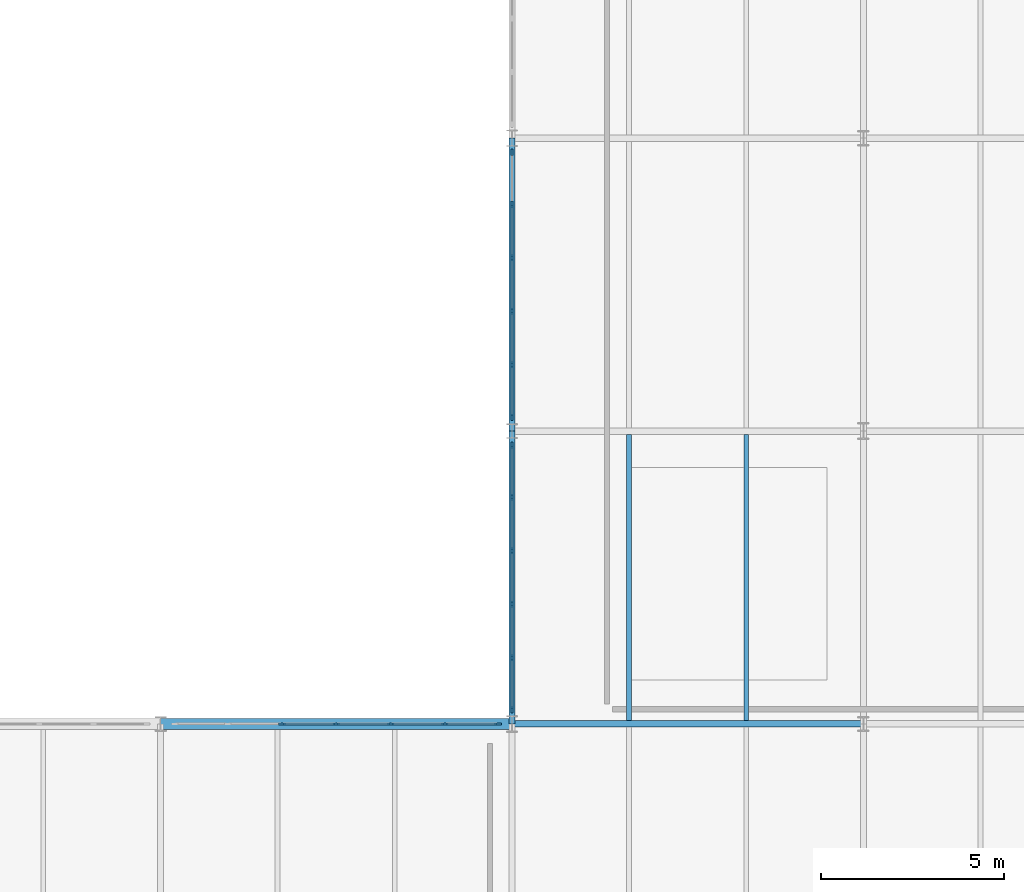
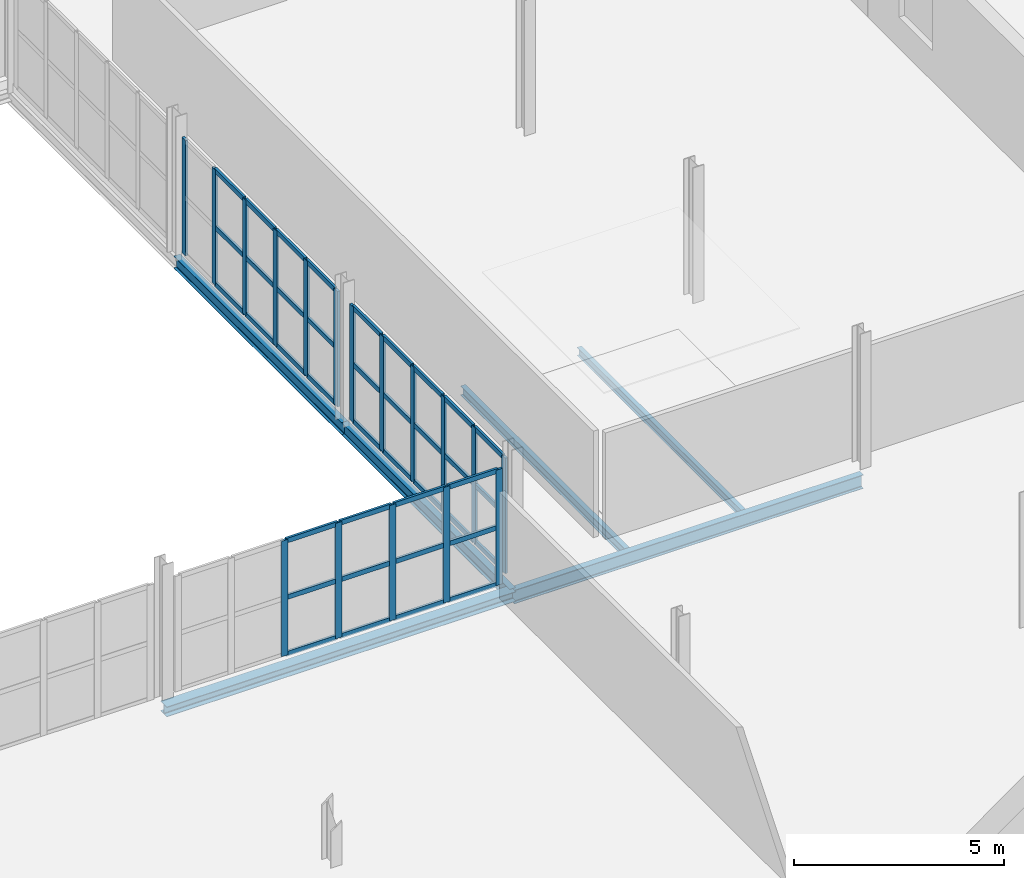
# One storey, part 54 of 85: 56 members, 6 beams, 3 elements without a shape of their own.
"""IFC4 building model written with IfcOpenShell, lengths in metres."""

from ifc_helpers import new_model, si_unit, direction, frame, origin, origin_2d, place, context, subcontext, project, spatial, rectangle, i_section, extrude, material, layer, layer_set, material_profile, profile_set, type_object, element, aggregate, save


model = new_model("IFC4")

# Units and contexts
model_context = context("Model", 3, precision=1e-05, world=origin(), true_north=direction((0.0, 1.0)))
body_context = subcontext(model_context, "Body", "Model", "MODEL_VIEW")
ifc_project = project(units=[si_unit("LENGTHUNIT", "METRE"), si_unit("AREAUNIT", "SQUARE_METRE"), si_unit("VOLUMEUNIT", "CUBIC_METRE"), si_unit("PLANEANGLEUNIT", "RADIAN"), si_unit("MASSUNIT", "GRAM", prefix="KILO")], contexts=[model_context])

# Site, building, storey
site_placement = place(None, origin())
site = spatial("IfcSite", under=ifc_project, at=site_placement, CompositionType="ELEMENT")
building_placement = place(site_placement, origin())
building = spatial("IfcBuilding", under=site, at=building_placement, Name="Alderhovde Museum", CompositionType="ELEMENT")
storey_placement = place(building_placement, frame((0.0, 0.0, 8.699951171875)))
storey = spatial("IfcBuildingStorey", under=building, at=storey_placement, Name="L02", CompositionType="ELEMENT", Elevation=8.699951171875)

# Beams
ifc_material_1 = material(Name="Steel S355J2", Category="steel")
ifc_material_profile_1 = material_profile(ifc_material_1, i_section(OverallWidth=0.169921875, OverallDepth=0.360107421875, WebThickness=0.008056640625, FlangeThickness=0.0126953125, FilletRadius=0.01806640625, at=origin_2d()), Name="IPE 360")
ifc_profile_set_1 = profile_set([ifc_material_profile_1], Name="Steel S355J2")
beam_type_1 = type_object("IfcBeamType", Name="BM-IPE360", PredefinedType="BEAM", material=ifc_profile_set_1)
for number, where, z_axis, x_axis, name in (
    (1, (144.0, 48.0, -0.43994140625), (0.0, 1.0, 0.0), (-1.0, 0.0, 0.0), "L02 Grid Beam X=144.0 (48.0 TO 56.0)"),
    (2, (144.0, 56.0, -0.43994140625), (0.0, 1.0, 0.0), (-1.0, 0.0, 0.0), "L02 Grid Beam X=144.0 (56.0 TO 64.0)"),
):
    element("IfcBeam", number, at=place(storey_placement, frame(where, z_axis=z_axis, x_axis=x_axis)), inside=storey, type_object=beam_type_1, Name=name, PredefinedType="BEAM", context=body_context, shape_type="SweptSolid", body=[
        extrude(i_section(OverallWidth=0.169921875, OverallDepth=0.360107421875, WebThickness=0.008056640625, FlangeThickness=0.0126953125, FilletRadius=0.01806640625, at=origin_2d()), origin(), (0.0, 0.0, 1.0), 8.0),
    ])
ifc_material_2 = material(Name="Steel S355J2", Category="steel")
ifc_material_profile_2 = material_profile(ifc_material_2, i_section(OverallWidth=0.179931640625, OverallDepth=0.39990234375, WebThickness=0.008544921875, FlangeThickness=0.013427734375, FilletRadius=0.02099609375, at=origin_2d()), Name="IPE 400")
ifc_profile_set_2 = profile_set([ifc_material_profile_2], Name="Steel S355J2")
beam_type_2 = type_object("IfcBeamType", Name="BM-IPE400", PredefinedType="BEAM", material=ifc_profile_set_2)
beam_1_placement = place(storey_placement, frame((144.0, 48.0, -0.4599609375), z_axis=(1.0, 0.0, 0.0), x_axis=(0.0, 1.0, 0.0)))
element("IfcBeam", 3, at=beam_1_placement, inside=storey, type_object=beam_type_2, Name="L02 Grid Beam Y=48.0 (144.0 TO 153.6)", PredefinedType="BEAM", context=body_context, shape_type="SweptSolid", body=[
    extrude(i_section(OverallWidth=0.179931640625, OverallDepth=0.39990234375, WebThickness=0.008544921875, FlangeThickness=0.013427734375, FilletRadius=0.02099609375, at=origin_2d()), origin(), (0.0, 0.0, 1.0), 9.60009765625),
])

# Curtain wall, members
ifc_material_3 = material(Name="Triple-Glazed Bronze-Anodised Curtain Wall", Category="glass")
ifc_layer_1 = layer(ifc_material_3, 0.179931640625)
ifc_layer_set_1 = layer_set([ifc_layer_1], Name="Triple-Glazed Bronze-Anodised Curtain Wall")
curtain_wall_type_1 = type_object("IfcCurtainWallType", Name="CW-STIC-890x336", PredefinedType="USERDEFINED", material=ifc_layer_set_1)
curtain_wall_1_placement = place(storey_placement, origin())
curtain_wall_1 = element("IfcCurtainWall", 4, at=curtain_wall_1_placement, inside=storey, type_object=curtain_wall_type_1, Name="L02 Stick Curtain Wall 163", ObjectType="STICK CURTAIN WALL", PredefinedType="USERDEFINED")
ifc_material_4 = material(Name="Bronze-Anodised Aluminium EN AW-6063-T6", Category="aluminium")
ifc_material_profile_3 = material_profile(ifc_material_4, rectangle(XDim=0.06494140625, YDim=0.179931640625, at=origin_2d()), Name="MULLION 65x180")
ifc_profile_set_3 = profile_set([ifc_material_profile_3], Name="Bronze-Anodised Aluminium EN AW-6063-T6")
member_type_1 = type_object("IfcMemberType", Name="CWM-65x180", PredefinedType="MULLION", material=ifc_profile_set_3)
member_1_placement = place(storey_placement, frame((137.716552734375, 48.0, 0.0), z_axis=(0.0, 0.0, 1.0), x_axis=(0.0, 1.0, 0.0)))
member_1 = element("IfcMember", 5, at=member_1_placement, type_object=member_type_1, Name="CW38 mullion 3", PredefinedType="MULLION", context=body_context, shape_type="SweptSolid", body=[
    extrude(rectangle(XDim=0.06494140625, YDim=0.179931640625, at=origin_2d()), origin(), (0.0, 0.0, 1.0), 3.360107421875),
])
member_2_placement = place(storey_placement, frame((139.199951171875, 48.0, 0.0), z_axis=(0.0, 0.0, 1.0), x_axis=(0.0, 1.0, 0.0)))
member_2 = element("IfcMember", 6, at=member_2_placement, type_object=member_type_1, Name="CW38 mullion 4", PredefinedType="MULLION", context=body_context, shape_type="SweptSolid", body=[
    extrude(rectangle(XDim=0.06494140625, YDim=0.179931640625, at=origin_2d()), origin(), (0.0, 0.0, 1.0), 3.360107421875),
])
member_3_placement = place(storey_placement, frame((140.683349609375, 48.0, 0.0), z_axis=(0.0, 0.0, 1.0), x_axis=(0.0, 1.0, 0.0)))
member_3 = element("IfcMember", 7, at=member_3_placement, type_object=member_type_1, Name="CW38 mullion 5", PredefinedType="MULLION", context=body_context, shape_type="SweptSolid", body=[
    extrude(rectangle(XDim=0.06494140625, YDim=0.179931640625, at=origin_2d()), origin(), (0.0, 0.0, 1.0), 3.360107421875),
])
member_4_placement = place(storey_placement, frame((142.166748046875, 48.0, 0.0), z_axis=(0.0, 0.0, 1.0), x_axis=(0.0, 1.0, 0.0)))
member_4 = element("IfcMember", 8, at=member_4_placement, type_object=member_type_1, Name="CW38 mullion 6", PredefinedType="MULLION", context=body_context, shape_type="SweptSolid", body=[
    extrude(rectangle(XDim=0.06494140625, YDim=0.179931640625, at=origin_2d()), origin(), (0.0, 0.0, 1.0), 3.360107421875),
])
member_5_placement = place(storey_placement, frame((143.617431640625, 48.0, 0.0), z_axis=(0.0, 0.0, 1.0), x_axis=(0.0, 1.0, 0.0)))
member_5 = element("IfcMember", 9, at=member_5_placement, type_object=member_type_1, Name="CW38 mullion 7", PredefinedType="MULLION", context=body_context, shape_type="SweptSolid", body=[
    extrude(rectangle(XDim=0.06494140625, YDim=0.179931640625, at=origin_2d()), origin(), (0.0, 0.0, 1.0), 3.360107421875),
])

ifc_material_5 = material(Name="Triple-Glazed Bronze-Anodised Curtain Wall", Category="glass")
ifc_layer_2 = layer(ifc_material_5, 0.179931640625)
ifc_layer_set_2 = layer_set([ifc_layer_2], Name="Triple-Glazed Bronze-Anodised Curtain Wall")
curtain_wall_type_2 = type_object("IfcCurtainWallType", Name="CW-STIC-730x336", PredefinedType="USERDEFINED", material=ifc_layer_set_2)
curtain_wall_2_placement = place(storey_placement, origin())
curtain_wall_2 = element("IfcCurtainWall", 10, at=curtain_wall_2_placement, inside=storey, type_object=curtain_wall_type_2, Name="L02 Stick Curtain Wall 164", ObjectType="STICK CURTAIN WALL", PredefinedType="USERDEFINED")
member_6_placement = place(storey_placement, frame((144.0, 48.382568359375, 0.0), z_axis=(0.0, 0.0, 1.0), x_axis=(-1.0, 0.0, 0.0)))
member_6 = element("IfcMember", 11, at=member_6_placement, type_object=member_type_1, Name="CW12 mullion 1", PredefinedType="MULLION", context=body_context, shape_type="SweptSolid", body=[
    extrude(rectangle(XDim=0.06494140625, YDim=0.179931640625, at=origin_2d()), origin(), (0.0, 0.0, 1.0), 3.360107421875),
])
member_7_placement = place(storey_placement, frame((144.0, 49.81005859375, 0.0), z_axis=(0.0, 0.0, 1.0), x_axis=(-1.0, 0.0, 0.0)))
member_7 = element("IfcMember", 12, at=member_7_placement, type_object=member_type_1, Name="CW12 mullion 2", PredefinedType="MULLION", context=body_context, shape_type="SweptSolid", body=[
    extrude(rectangle(XDim=0.06494140625, YDim=0.179931640625, at=origin_2d()), origin(), (0.0, 0.0, 1.0), 3.360107421875),
])
member_8_placement = place(storey_placement, frame((144.0, 51.27001953125, 0.0), z_axis=(0.0, 0.0, 1.0), x_axis=(-1.0, 0.0, 0.0)))
member_8 = element("IfcMember", 13, at=member_8_placement, type_object=member_type_1, Name="CW12 mullion 3", PredefinedType="MULLION", context=body_context, shape_type="SweptSolid", body=[
    extrude(rectangle(XDim=0.06494140625, YDim=0.179931640625, at=origin_2d()), origin(), (0.0, 0.0, 1.0), 3.360107421875),
])
member_9_placement = place(storey_placement, frame((144.0, 52.72998046875, 0.0), z_axis=(0.0, 0.0, 1.0), x_axis=(-1.0, 0.0, 0.0)))
member_9 = element("IfcMember", 14, at=member_9_placement, type_object=member_type_1, Name="CW12 mullion 4", PredefinedType="MULLION", context=body_context, shape_type="SweptSolid", body=[
    extrude(rectangle(XDim=0.06494140625, YDim=0.179931640625, at=origin_2d()), origin(), (0.0, 0.0, 1.0), 3.360107421875),
])
member_10_placement = place(storey_placement, frame((144.0, 54.18994140625, 0.0), z_axis=(0.0, 0.0, 1.0), x_axis=(-1.0, 0.0, 0.0)))
member_10 = element("IfcMember", 15, at=member_10_placement, type_object=member_type_1, Name="CW12 mullion 5", PredefinedType="MULLION", context=body_context, shape_type="SweptSolid", body=[
    extrude(rectangle(XDim=0.06494140625, YDim=0.179931640625, at=origin_2d()), origin(), (0.0, 0.0, 1.0), 3.360107421875),
])
member_11_placement = place(storey_placement, frame((144.0, 55.617431640625, 0.0), z_axis=(0.0, 0.0, 1.0), x_axis=(-1.0, 0.0, 0.0)))
member_11 = element("IfcMember", 16, at=member_11_placement, type_object=member_type_1, Name="CW12 mullion 6", PredefinedType="MULLION", context=body_context, shape_type="SweptSolid", body=[
    extrude(rectangle(XDim=0.06494140625, YDim=0.179931640625, at=origin_2d()), origin(), (0.0, 0.0, 1.0), 3.360107421875),
])

curtain_wall_3_placement = place(storey_placement, origin())
curtain_wall_3 = element("IfcCurtainWall", 17, at=curtain_wall_3_placement, inside=storey, type_object=curtain_wall_type_2, Name="L02 Stick Curtain Wall 165", ObjectType="STICK CURTAIN WALL", PredefinedType="USERDEFINED")
member_12_placement = place(storey_placement, frame((144.0, 56.382568359375, 0.0), z_axis=(0.0, 0.0, 1.0), x_axis=(-1.0, 0.0, 0.0)))
member_12 = element("IfcMember", 18, at=member_12_placement, type_object=member_type_1, Name="CW12 mullion 1", PredefinedType="MULLION", context=body_context, shape_type="SweptSolid", body=[
    extrude(rectangle(XDim=0.06494140625, YDim=0.179931640625, at=origin_2d()), origin(), (0.0, 0.0, 1.0), 3.360107421875),
])
member_13_placement = place(storey_placement, frame((144.0, 57.81005859375, 0.0), z_axis=(0.0, 0.0, 1.0), x_axis=(-1.0, 0.0, 0.0)))
member_13 = element("IfcMember", 19, at=member_13_placement, type_object=member_type_1, Name="CW12 mullion 2", PredefinedType="MULLION", context=body_context, shape_type="SweptSolid", body=[
    extrude(rectangle(XDim=0.06494140625, YDim=0.179931640625, at=origin_2d()), origin(), (0.0, 0.0, 1.0), 3.360107421875),
])
member_14_placement = place(storey_placement, frame((144.0, 59.27001953125, 0.0), z_axis=(0.0, 0.0, 1.0), x_axis=(-1.0, 0.0, 0.0)))
member_14 = element("IfcMember", 20, at=member_14_placement, type_object=member_type_1, Name="CW12 mullion 3", PredefinedType="MULLION", context=body_context, shape_type="SweptSolid", body=[
    extrude(rectangle(XDim=0.06494140625, YDim=0.179931640625, at=origin_2d()), origin(), (0.0, 0.0, 1.0), 3.360107421875),
])
member_15_placement = place(storey_placement, frame((144.0, 60.72998046875, 0.0), z_axis=(0.0, 0.0, 1.0), x_axis=(-1.0, 0.0, 0.0)))
member_15 = element("IfcMember", 21, at=member_15_placement, type_object=member_type_1, Name="CW12 mullion 4", PredefinedType="MULLION", context=body_context, shape_type="SweptSolid", body=[
    extrude(rectangle(XDim=0.06494140625, YDim=0.179931640625, at=origin_2d()), origin(), (0.0, 0.0, 1.0), 3.360107421875),
])
member_16_placement = place(storey_placement, frame((144.0, 62.18994140625, 0.0), z_axis=(0.0, 0.0, 1.0), x_axis=(-1.0, 0.0, 0.0)))
member_16 = element("IfcMember", 22, at=member_16_placement, type_object=member_type_1, Name="CW12 mullion 5", PredefinedType="MULLION", context=body_context, shape_type="SweptSolid", body=[
    extrude(rectangle(XDim=0.06494140625, YDim=0.179931640625, at=origin_2d()), origin(), (0.0, 0.0, 1.0), 3.360107421875),
])
member_17_placement = place(storey_placement, frame((144.0, 63.617431640625, 0.0), z_axis=(0.0, 0.0, 1.0), x_axis=(-1.0, 0.0, 0.0)))
member_17 = element("IfcMember", 23, at=member_17_placement, type_object=member_type_1, Name="CW12 mullion 6", PredefinedType="MULLION", context=body_context, shape_type="SweptSolid", body=[
    extrude(rectangle(XDim=0.06494140625, YDim=0.179931640625, at=origin_2d()), origin(), (0.0, 0.0, 1.0), 3.360107421875),
])

# Member
ifc_material_6 = material(Name="Bronze-Anodised Aluminium EN AW-6063-T6", Category="aluminium")
ifc_material_profile_4 = material_profile(ifc_material_6, rectangle(XDim=0.06494140625, YDim=0.139892578125, at=origin_2d()), Name="TRANSOM 65x140")
ifc_profile_set_4 = profile_set([ifc_material_profile_4], Name="Bronze-Anodised Aluminium EN AW-6063-T6")
member_type_2 = type_object("IfcMemberType", Name="CWT-65x140", PredefinedType="USERDEFINED", material=ifc_profile_set_4)
member_18_placement = place(storey_placement, frame((137.749267578125, 48.0, 0.032470703125), z_axis=(1.0, 0.0, 0.0), x_axis=(0.0, 1.0, 0.0)))
member_18 = element("IfcMember", 24, at=member_18_placement, type_object=member_type_2, Name="CW38 transom 3.1", ObjectType="TRANSOM", PredefinedType="USERDEFINED", context=body_context, shape_type="SweptSolid", body=[
    extrude(rectangle(XDim=0.06494140625, YDim=0.139892578125, at=origin_2d()), origin(), (0.0, 0.0, 1.0), 1.418212890625),
])

member_19_placement = place(storey_placement, frame((137.749267578125, 48.0, 1.679931640625), z_axis=(1.0, 0.0, 0.0), x_axis=(0.0, 1.0, 0.0)))
member_19 = element("IfcMember", 25, at=member_19_placement, type_object=member_type_2, Name="CW38 transom 3.2", ObjectType="TRANSOM", PredefinedType="USERDEFINED", context=body_context, shape_type="SweptSolid", body=[
    extrude(rectangle(XDim=0.06494140625, YDim=0.139892578125, at=origin_2d()), origin(), (0.0, 0.0, 1.0), 1.418212890625),
])

member_20_placement = place(storey_placement, frame((137.749267578125, 48.0, 3.32763671875), z_axis=(1.0, 0.0, 0.0), x_axis=(0.0, 1.0, 0.0)))
member_20 = element("IfcMember", 26, at=member_20_placement, type_object=member_type_2, Name="CW38 transom 3.3", ObjectType="TRANSOM", PredefinedType="USERDEFINED", context=body_context, shape_type="SweptSolid", body=[
    extrude(rectangle(XDim=0.06494140625, YDim=0.139892578125, at=origin_2d()), origin(), (0.0, 0.0, 1.0), 1.418212890625),
])

member_21_placement = place(storey_placement, frame((139.232421875, 48.0, 0.032470703125), z_axis=(1.0, 0.0, 0.0), x_axis=(0.0, 1.0, 0.0)))
member_21 = element("IfcMember", 27, at=member_21_placement, type_object=member_type_2, Name="CW38 transom 4.1", ObjectType="TRANSOM", PredefinedType="USERDEFINED", context=body_context, shape_type="SweptSolid", body=[
    extrude(rectangle(XDim=0.06494140625, YDim=0.139892578125, at=origin_2d()), origin(), (0.0, 0.0, 1.0), 1.41845703125),
])

member_22_placement = place(storey_placement, frame((139.232421875, 48.0, 1.679931640625), z_axis=(1.0, 0.0, 0.0), x_axis=(0.0, 1.0, 0.0)))
member_22 = element("IfcMember", 28, at=member_22_placement, type_object=member_type_2, Name="CW38 transom 4.2", ObjectType="TRANSOM", PredefinedType="USERDEFINED", context=body_context, shape_type="SweptSolid", body=[
    extrude(rectangle(XDim=0.06494140625, YDim=0.139892578125, at=origin_2d()), origin(), (0.0, 0.0, 1.0), 1.41845703125),
])

member_23_placement = place(storey_placement, frame((139.232421875, 48.0, 3.32763671875), z_axis=(1.0, 0.0, 0.0), x_axis=(0.0, 1.0, 0.0)))
member_23 = element("IfcMember", 29, at=member_23_placement, type_object=member_type_2, Name="CW38 transom 4.3", ObjectType="TRANSOM", PredefinedType="USERDEFINED", context=body_context, shape_type="SweptSolid", body=[
    extrude(rectangle(XDim=0.06494140625, YDim=0.139892578125, at=origin_2d()), origin(), (0.0, 0.0, 1.0), 1.41845703125),
])

member_24_placement = place(storey_placement, frame((140.7158203125, 48.0, 0.032470703125), z_axis=(1.0, 0.0, 0.0), x_axis=(0.0, 1.0, 0.0)))
member_24 = element("IfcMember", 30, at=member_24_placement, type_object=member_type_2, Name="CW38 transom 5.1", ObjectType="TRANSOM", PredefinedType="USERDEFINED", context=body_context, shape_type="SweptSolid", body=[
    extrude(rectangle(XDim=0.06494140625, YDim=0.139892578125, at=origin_2d()), origin(), (0.0, 0.0, 1.0), 1.41845703125),
])

member_25_placement = place(storey_placement, frame((140.7158203125, 48.0, 1.679931640625), z_axis=(1.0, 0.0, 0.0), x_axis=(0.0, 1.0, 0.0)))
member_25 = element("IfcMember", 31, at=member_25_placement, type_object=member_type_2, Name="CW38 transom 5.2", ObjectType="TRANSOM", PredefinedType="USERDEFINED", context=body_context, shape_type="SweptSolid", body=[
    extrude(rectangle(XDim=0.06494140625, YDim=0.139892578125, at=origin_2d()), origin(), (0.0, 0.0, 1.0), 1.41845703125),
])

member_26_placement = place(storey_placement, frame((140.7158203125, 48.0, 3.32763671875), z_axis=(1.0, 0.0, 0.0), x_axis=(0.0, 1.0, 0.0)))
member_26 = element("IfcMember", 32, at=member_26_placement, type_object=member_type_2, Name="CW38 transom 5.3", ObjectType="TRANSOM", PredefinedType="USERDEFINED", context=body_context, shape_type="SweptSolid", body=[
    extrude(rectangle(XDim=0.06494140625, YDim=0.139892578125, at=origin_2d()), origin(), (0.0, 0.0, 1.0), 1.41845703125),
])

member_27_placement = place(storey_placement, frame((142.19921875, 48.0, 0.032470703125), z_axis=(1.0, 0.0, 0.0), x_axis=(0.0, 1.0, 0.0)))
member_27 = element("IfcMember", 33, at=member_27_placement, type_object=member_type_2, Name="CW38 transom 6.1", ObjectType="TRANSOM", PredefinedType="USERDEFINED", context=body_context, shape_type="SweptSolid", body=[
    extrude(rectangle(XDim=0.06494140625, YDim=0.139892578125, at=origin_2d()), origin(), (0.0, 0.0, 1.0), 1.3857421875),
])

member_28_placement = place(storey_placement, frame((142.19921875, 48.0, 1.679931640625), z_axis=(1.0, 0.0, 0.0), x_axis=(0.0, 1.0, 0.0)))
member_28 = element("IfcMember", 34, at=member_28_placement, type_object=member_type_2, Name="CW38 transom 6.2", ObjectType="TRANSOM", PredefinedType="USERDEFINED", context=body_context, shape_type="SweptSolid", body=[
    extrude(rectangle(XDim=0.06494140625, YDim=0.139892578125, at=origin_2d()), origin(), (0.0, 0.0, 1.0), 1.3857421875),
])

member_29_placement = place(storey_placement, frame((142.19921875, 48.0, 3.32763671875), z_axis=(1.0, 0.0, 0.0), x_axis=(0.0, 1.0, 0.0)))
member_29 = element("IfcMember", 35, at=member_29_placement, type_object=member_type_2, Name="CW38 transom 6.3", ObjectType="TRANSOM", PredefinedType="USERDEFINED", context=body_context, shape_type="SweptSolid", body=[
    extrude(rectangle(XDim=0.06494140625, YDim=0.139892578125, at=origin_2d()), origin(), (0.0, 0.0, 1.0), 1.3857421875),
])

aggregate(curtain_wall_1, [member_1, member_2, member_3, member_4, member_5, member_18, member_19, member_20, member_21, member_22, member_23, member_24, member_25, member_26, member_27, member_28, member_29])

member_30_placement = place(storey_placement, frame((144.0, 48.4150390625, 0.032470703125), z_axis=(0.0, 1.0, 0.0), x_axis=(-1.0, 0.0, 0.0)))
member_30 = element("IfcMember", 36, at=member_30_placement, type_object=member_type_2, Name="CW12 transom 1.1", ObjectType="TRANSOM", PredefinedType="USERDEFINED", context=body_context, shape_type="SweptSolid", body=[
    extrude(rectangle(XDim=0.06494140625, YDim=0.139892578125, at=origin_2d()), origin(), (0.0, 0.0, 1.0), 1.362548828125),
])

member_31_placement = place(storey_placement, frame((144.0, 48.4150390625, 1.679931640625), z_axis=(0.0, 1.0, 0.0), x_axis=(-1.0, 0.0, 0.0)))
member_31 = element("IfcMember", 37, at=member_31_placement, type_object=member_type_2, Name="CW12 transom 1.2", ObjectType="TRANSOM", PredefinedType="USERDEFINED", context=body_context, shape_type="SweptSolid", body=[
    extrude(rectangle(XDim=0.06494140625, YDim=0.139892578125, at=origin_2d()), origin(), (0.0, 0.0, 1.0), 1.362548828125),
])

member_32_placement = place(storey_placement, frame((144.0, 48.4150390625, 3.32763671875), z_axis=(0.0, 1.0, 0.0), x_axis=(-1.0, 0.0, 0.0)))
member_32 = element("IfcMember", 38, at=member_32_placement, type_object=member_type_2, Name="CW12 transom 1.3", ObjectType="TRANSOM", PredefinedType="USERDEFINED", context=body_context, shape_type="SweptSolid", body=[
    extrude(rectangle(XDim=0.06494140625, YDim=0.139892578125, at=origin_2d()), origin(), (0.0, 0.0, 1.0), 1.362548828125),
])

member_33_placement = place(storey_placement, frame((144.0, 49.842529296875, 0.032470703125), z_axis=(0.0, 1.0, 0.0), x_axis=(-1.0, 0.0, 0.0)))
member_33 = element("IfcMember", 39, at=member_33_placement, type_object=member_type_2, Name="CW12 transom 2.1", ObjectType="TRANSOM", PredefinedType="USERDEFINED", context=body_context, shape_type="SweptSolid", body=[
    extrude(rectangle(XDim=0.06494140625, YDim=0.139892578125, at=origin_2d()), origin(), (0.0, 0.0, 1.0), 1.39501953125),
])

member_34_placement = place(storey_placement, frame((144.0, 49.842529296875, 1.679931640625), z_axis=(0.0, 1.0, 0.0), x_axis=(-1.0, 0.0, 0.0)))
member_34 = element("IfcMember", 40, at=member_34_placement, type_object=member_type_2, Name="CW12 transom 2.2", ObjectType="TRANSOM", PredefinedType="USERDEFINED", context=body_context, shape_type="SweptSolid", body=[
    extrude(rectangle(XDim=0.06494140625, YDim=0.139892578125, at=origin_2d()), origin(), (0.0, 0.0, 1.0), 1.39501953125),
])

member_35_placement = place(storey_placement, frame((144.0, 49.842529296875, 3.32763671875), z_axis=(0.0, 1.0, 0.0), x_axis=(-1.0, 0.0, 0.0)))
member_35 = element("IfcMember", 41, at=member_35_placement, type_object=member_type_2, Name="CW12 transom 2.3", ObjectType="TRANSOM", PredefinedType="USERDEFINED", context=body_context, shape_type="SweptSolid", body=[
    extrude(rectangle(XDim=0.06494140625, YDim=0.139892578125, at=origin_2d()), origin(), (0.0, 0.0, 1.0), 1.39501953125),
])

member_36_placement = place(storey_placement, frame((144.0, 51.302490234375, 0.032470703125), z_axis=(0.0, 1.0, 0.0), x_axis=(-1.0, 0.0, 0.0)))
member_36 = element("IfcMember", 42, at=member_36_placement, type_object=member_type_2, Name="CW12 transom 3.1", ObjectType="TRANSOM", PredefinedType="USERDEFINED", context=body_context, shape_type="SweptSolid", body=[
    extrude(rectangle(XDim=0.06494140625, YDim=0.139892578125, at=origin_2d()), origin(), (0.0, 0.0, 1.0), 1.39501953125),
])

member_37_placement = place(storey_placement, frame((144.0, 51.302490234375, 1.679931640625), z_axis=(0.0, 1.0, 0.0), x_axis=(-1.0, 0.0, 0.0)))
member_37 = element("IfcMember", 43, at=member_37_placement, type_object=member_type_2, Name="CW12 transom 3.2", ObjectType="TRANSOM", PredefinedType="USERDEFINED", context=body_context, shape_type="SweptSolid", body=[
    extrude(rectangle(XDim=0.06494140625, YDim=0.139892578125, at=origin_2d()), origin(), (0.0, 0.0, 1.0), 1.39501953125),
])

member_38_placement = place(storey_placement, frame((144.0, 51.302490234375, 3.32763671875), z_axis=(0.0, 1.0, 0.0), x_axis=(-1.0, 0.0, 0.0)))
member_38 = element("IfcMember", 44, at=member_38_placement, type_object=member_type_2, Name="CW12 transom 3.3", ObjectType="TRANSOM", PredefinedType="USERDEFINED", context=body_context, shape_type="SweptSolid", body=[
    extrude(rectangle(XDim=0.06494140625, YDim=0.139892578125, at=origin_2d()), origin(), (0.0, 0.0, 1.0), 1.39501953125),
])

member_39_placement = place(storey_placement, frame((144.0, 52.762451171875, 0.032470703125), z_axis=(0.0, 1.0, 0.0), x_axis=(-1.0, 0.0, 0.0)))
member_39 = element("IfcMember", 45, at=member_39_placement, type_object=member_type_2, Name="CW12 transom 4.1", ObjectType="TRANSOM", PredefinedType="USERDEFINED", context=body_context, shape_type="SweptSolid", body=[
    extrude(rectangle(XDim=0.06494140625, YDim=0.139892578125, at=origin_2d()), origin(), (0.0, 0.0, 1.0), 1.39501953125),
])

member_40_placement = place(storey_placement, frame((144.0, 52.762451171875, 1.679931640625), z_axis=(0.0, 1.0, 0.0), x_axis=(-1.0, 0.0, 0.0)))
member_40 = element("IfcMember", 46, at=member_40_placement, type_object=member_type_2, Name="CW12 transom 4.2", ObjectType="TRANSOM", PredefinedType="USERDEFINED", context=body_context, shape_type="SweptSolid", body=[
    extrude(rectangle(XDim=0.06494140625, YDim=0.139892578125, at=origin_2d()), origin(), (0.0, 0.0, 1.0), 1.39501953125),
])

member_41_placement = place(storey_placement, frame((144.0, 52.762451171875, 3.32763671875), z_axis=(0.0, 1.0, 0.0), x_axis=(-1.0, 0.0, 0.0)))
member_41 = element("IfcMember", 47, at=member_41_placement, type_object=member_type_2, Name="CW12 transom 4.3", ObjectType="TRANSOM", PredefinedType="USERDEFINED", context=body_context, shape_type="SweptSolid", body=[
    extrude(rectangle(XDim=0.06494140625, YDim=0.139892578125, at=origin_2d()), origin(), (0.0, 0.0, 1.0), 1.39501953125),
])

member_42_placement = place(storey_placement, frame((144.0, 54.222412109375, 0.032470703125), z_axis=(0.0, 1.0, 0.0), x_axis=(-1.0, 0.0, 0.0)))
member_42 = element("IfcMember", 48, at=member_42_placement, type_object=member_type_2, Name="CW12 transom 5.1", ObjectType="TRANSOM", PredefinedType="USERDEFINED", context=body_context, shape_type="SweptSolid", body=[
    extrude(rectangle(XDim=0.06494140625, YDim=0.139892578125, at=origin_2d()), origin(), (0.0, 0.0, 1.0), 1.362548828125),
])

member_43_placement = place(storey_placement, frame((144.0, 54.222412109375, 1.679931640625), z_axis=(0.0, 1.0, 0.0), x_axis=(-1.0, 0.0, 0.0)))
member_43 = element("IfcMember", 49, at=member_43_placement, type_object=member_type_2, Name="CW12 transom 5.2", ObjectType="TRANSOM", PredefinedType="USERDEFINED", context=body_context, shape_type="SweptSolid", body=[
    extrude(rectangle(XDim=0.06494140625, YDim=0.139892578125, at=origin_2d()), origin(), (0.0, 0.0, 1.0), 1.362548828125),
])

member_44_placement = place(storey_placement, frame((144.0, 54.222412109375, 3.32763671875), z_axis=(0.0, 1.0, 0.0), x_axis=(-1.0, 0.0, 0.0)))
member_44 = element("IfcMember", 50, at=member_44_placement, type_object=member_type_2, Name="CW12 transom 5.3", ObjectType="TRANSOM", PredefinedType="USERDEFINED", context=body_context, shape_type="SweptSolid", body=[
    extrude(rectangle(XDim=0.06494140625, YDim=0.139892578125, at=origin_2d()), origin(), (0.0, 0.0, 1.0), 1.362548828125),
])

aggregate(curtain_wall_2, [member_6, member_7, member_8, member_9, member_10, member_11, member_30, member_31, member_32, member_33, member_34, member_35, member_36, member_37, member_38, member_39, member_40, member_41, member_42, member_43, member_44])

member_45_placement = place(storey_placement, frame((144.0, 56.4150390625, 0.032470703125), z_axis=(0.0, 1.0, 0.0), x_axis=(-1.0, 0.0, 0.0)))
member_45 = element("IfcMember", 51, at=member_45_placement, type_object=member_type_2, Name="CW12 transom 1.1", ObjectType="TRANSOM", PredefinedType="USERDEFINED", context=body_context, shape_type="SweptSolid", body=[
    extrude(rectangle(XDim=0.06494140625, YDim=0.139892578125, at=origin_2d()), origin(), (0.0, 0.0, 1.0), 1.362548828125),
])

member_46_placement = place(storey_placement, frame((144.0, 56.4150390625, 1.679931640625), z_axis=(0.0, 1.0, 0.0), x_axis=(-1.0, 0.0, 0.0)))
member_46 = element("IfcMember", 52, at=member_46_placement, type_object=member_type_2, Name="CW12 transom 1.2", ObjectType="TRANSOM", PredefinedType="USERDEFINED", context=body_context, shape_type="SweptSolid", body=[
    extrude(rectangle(XDim=0.06494140625, YDim=0.139892578125, at=origin_2d()), origin(), (0.0, 0.0, 1.0), 1.362548828125),
])

member_47_placement = place(storey_placement, frame((144.0, 56.4150390625, 3.32763671875), z_axis=(0.0, 1.0, 0.0), x_axis=(-1.0, 0.0, 0.0)))
member_47 = element("IfcMember", 53, at=member_47_placement, type_object=member_type_2, Name="CW12 transom 1.3", ObjectType="TRANSOM", PredefinedType="USERDEFINED", context=body_context, shape_type="SweptSolid", body=[
    extrude(rectangle(XDim=0.06494140625, YDim=0.139892578125, at=origin_2d()), origin(), (0.0, 0.0, 1.0), 1.362548828125),
])

member_48_placement = place(storey_placement, frame((144.0, 57.842529296875, 0.032470703125), z_axis=(0.0, 1.0, 0.0), x_axis=(-1.0, 0.0, 0.0)))
member_48 = element("IfcMember", 54, at=member_48_placement, type_object=member_type_2, Name="CW12 transom 2.1", ObjectType="TRANSOM", PredefinedType="USERDEFINED", context=body_context, shape_type="SweptSolid", body=[
    extrude(rectangle(XDim=0.06494140625, YDim=0.139892578125, at=origin_2d()), origin(), (0.0, 0.0, 1.0), 1.39501953125),
])

member_49_placement = place(storey_placement, frame((144.0, 57.842529296875, 1.679931640625), z_axis=(0.0, 1.0, 0.0), x_axis=(-1.0, 0.0, 0.0)))
member_49 = element("IfcMember", 55, at=member_49_placement, type_object=member_type_2, Name="CW12 transom 2.2", ObjectType="TRANSOM", PredefinedType="USERDEFINED", context=body_context, shape_type="SweptSolid", body=[
    extrude(rectangle(XDim=0.06494140625, YDim=0.139892578125, at=origin_2d()), origin(), (0.0, 0.0, 1.0), 1.39501953125),
])

member_50_placement = place(storey_placement, frame((144.0, 57.842529296875, 3.32763671875), z_axis=(0.0, 1.0, 0.0), x_axis=(-1.0, 0.0, 0.0)))
member_50 = element("IfcMember", 56, at=member_50_placement, type_object=member_type_2, Name="CW12 transom 2.3", ObjectType="TRANSOM", PredefinedType="USERDEFINED", context=body_context, shape_type="SweptSolid", body=[
    extrude(rectangle(XDim=0.06494140625, YDim=0.139892578125, at=origin_2d()), origin(), (0.0, 0.0, 1.0), 1.39501953125),
])

member_51_placement = place(storey_placement, frame((144.0, 59.302490234375, 0.032470703125), z_axis=(0.0, 1.0, 0.0), x_axis=(-1.0, 0.0, 0.0)))
member_51 = element("IfcMember", 57, at=member_51_placement, type_object=member_type_2, Name="CW12 transom 3.1", ObjectType="TRANSOM", PredefinedType="USERDEFINED", context=body_context, shape_type="SweptSolid", body=[
    extrude(rectangle(XDim=0.06494140625, YDim=0.139892578125, at=origin_2d()), origin(), (0.0, 0.0, 1.0), 1.39501953125),
])

member_52_placement = place(storey_placement, frame((144.0, 59.302490234375, 1.679931640625), z_axis=(0.0, 1.0, 0.0), x_axis=(-1.0, 0.0, 0.0)))
member_52 = element("IfcMember", 58, at=member_52_placement, type_object=member_type_2, Name="CW12 transom 3.2", ObjectType="TRANSOM", PredefinedType="USERDEFINED", context=body_context, shape_type="SweptSolid", body=[
    extrude(rectangle(XDim=0.06494140625, YDim=0.139892578125, at=origin_2d()), origin(), (0.0, 0.0, 1.0), 1.39501953125),
])

member_53_placement = place(storey_placement, frame((144.0, 59.302490234375, 3.32763671875), z_axis=(0.0, 1.0, 0.0), x_axis=(-1.0, 0.0, 0.0)))
member_53 = element("IfcMember", 59, at=member_53_placement, type_object=member_type_2, Name="CW12 transom 3.3", ObjectType="TRANSOM", PredefinedType="USERDEFINED", context=body_context, shape_type="SweptSolid", body=[
    extrude(rectangle(XDim=0.06494140625, YDim=0.139892578125, at=origin_2d()), origin(), (0.0, 0.0, 1.0), 1.39501953125),
])

member_54_placement = place(storey_placement, frame((144.0, 60.762451171875, 0.032470703125), z_axis=(0.0, 1.0, 0.0), x_axis=(-1.0, 0.0, 0.0)))
member_54 = element("IfcMember", 60, at=member_54_placement, type_object=member_type_2, Name="CW12 transom 4.1", ObjectType="TRANSOM", PredefinedType="USERDEFINED", context=body_context, shape_type="SweptSolid", body=[
    extrude(rectangle(XDim=0.06494140625, YDim=0.139892578125, at=origin_2d()), origin(), (0.0, 0.0, 1.0), 1.39501953125),
])

member_55_placement = place(storey_placement, frame((144.0, 60.762451171875, 1.679931640625), z_axis=(0.0, 1.0, 0.0), x_axis=(-1.0, 0.0, 0.0)))
member_55 = element("IfcMember", 61, at=member_55_placement, type_object=member_type_2, Name="CW12 transom 4.2", ObjectType="TRANSOM", PredefinedType="USERDEFINED", context=body_context, shape_type="SweptSolid", body=[
    extrude(rectangle(XDim=0.06494140625, YDim=0.139892578125, at=origin_2d()), origin(), (0.0, 0.0, 1.0), 1.39501953125),
])

member_56_placement = place(storey_placement, frame((144.0, 60.762451171875, 3.32763671875), z_axis=(0.0, 1.0, 0.0), x_axis=(-1.0, 0.0, 0.0)))
member_56 = element("IfcMember", 62, at=member_56_placement, type_object=member_type_2, Name="CW12 transom 4.3", ObjectType="TRANSOM", PredefinedType="USERDEFINED", context=body_context, shape_type="SweptSolid", body=[
    extrude(rectangle(XDim=0.06494140625, YDim=0.139892578125, at=origin_2d()), origin(), (0.0, 0.0, 1.0), 1.39501953125),
])

aggregate(curtain_wall_3, [member_12, member_13, member_14, member_15, member_16, member_17, member_45, member_46, member_47, member_48, member_49, member_50, member_51, member_52, member_53, member_54, member_55, member_56])

# Beams
ifc_material_7 = material(Name="Steel S355J2", Category="steel")
ifc_material_profile_5 = material_profile(ifc_material_7, i_section(OverallWidth=0.1201171875, OverallDepth=0.239990234375, WebThickness=0.006103515625, FlangeThickness=0.009765625, FilletRadius=0.014892578125, at=origin_2d()), Name="IPE 240")
ifc_profile_set_5 = profile_set([ifc_material_profile_5], Name="Steel S355J2")
beam_type_3 = type_object("IfcBeamType", Name="JST-IPE240", PredefinedType="JOIST", material=ifc_profile_set_5)
beam_2_placement = place(storey_placement, frame((150.39990234375, 48.090087890625, -0.3798828125), z_axis=(0.0, 1.0, 0.0), x_axis=(-1.0, 0.0, 0.0)))
element("IfcBeam", 63, at=beam_2_placement, inside=storey, type_object=beam_type_3, Name="L02 Composite Joist X=150.4 (48.0 TO 56.0)", PredefinedType="JOIST", context=body_context, shape_type="SweptSolid", body=[
    extrude(i_section(OverallWidth=0.1201171875, OverallDepth=0.239990234375, WebThickness=0.006103515625, FlangeThickness=0.009765625, FilletRadius=0.014892578125, at=origin_2d()), origin(), (0.0, 0.0, 1.0), 7.81982421875),
])
ifc_material_8 = material(Name="Steel S355J2", Category="steel")
ifc_material_profile_6 = material_profile(ifc_material_8, i_section(OverallWidth=0.135009765625, OverallDepth=0.27001953125, WebThickness=0.006591796875, FlangeThickness=0.01025390625, FilletRadius=0.014892578125, at=origin_2d()), Name="IPE 270")
ifc_profile_set_6 = profile_set([ifc_material_profile_6], Name="Steel S355J2")
beam_type_4 = type_object("IfcBeamType", Name="JST-IPE270", PredefinedType="JOIST", material=ifc_profile_set_6)
beam_3_placement = place(storey_placement, frame((147.199951171875, 48.090087890625, -0.39501953125), z_axis=(0.0, 1.0, 0.0), x_axis=(-1.0, 0.0, 0.0)))
element("IfcBeam", 64, at=beam_3_placement, inside=storey, type_object=beam_type_4, Name="L02 Composite Joist X=147.2 (48.0 TO 56.0)", PredefinedType="JOIST", context=body_context, shape_type="SweptSolid", body=[
    extrude(i_section(OverallWidth=0.135009765625, OverallDepth=0.27001953125, WebThickness=0.006591796875, FlangeThickness=0.01025390625, FilletRadius=0.014892578125, at=origin_2d()), origin(), (0.0, 0.0, 1.0), 7.81982421875),
])
ifc_material_9 = material(Name="Steel S355J2", Category="steel")
ifc_material_profile_7 = material_profile(ifc_material_9, i_section(OverallWidth=0.300048828125, OverallDepth=0.2900390625, WebThickness=0.008544921875, FlangeThickness=0.013916015625, FilletRadius=0.027099609375, at=origin_2d()), Name="HEA 300")
ifc_profile_set_7 = profile_set([ifc_material_profile_7], Name="Steel S355J2")
beam_type_5 = type_object("IfcBeamType", Name="SPD-HEA300", PredefinedType="SPANDREL", material=ifc_profile_set_7)
beam_4_placement = place(storey_placement, frame((134.39990234375, 48.0, -0.405029296875), z_axis=(1.0, 0.0, 0.0), x_axis=(0.0, 1.0, 0.0)))
element("IfcBeam", 65, at=beam_4_placement, inside=storey, type_object=beam_type_5, Name="L02 Grid Beam Y=48.0 (134.4 TO 144.0)", PredefinedType="SPANDREL", context=body_context, shape_type="SweptSolid", body=[
    extrude(i_section(OverallWidth=0.300048828125, OverallDepth=0.2900390625, WebThickness=0.008544921875, FlangeThickness=0.013916015625, FilletRadius=0.027099609375, at=origin_2d()), origin(), (0.0, 0.0, 1.0), 9.60009765625),
])

save(model, "model.ifc")
